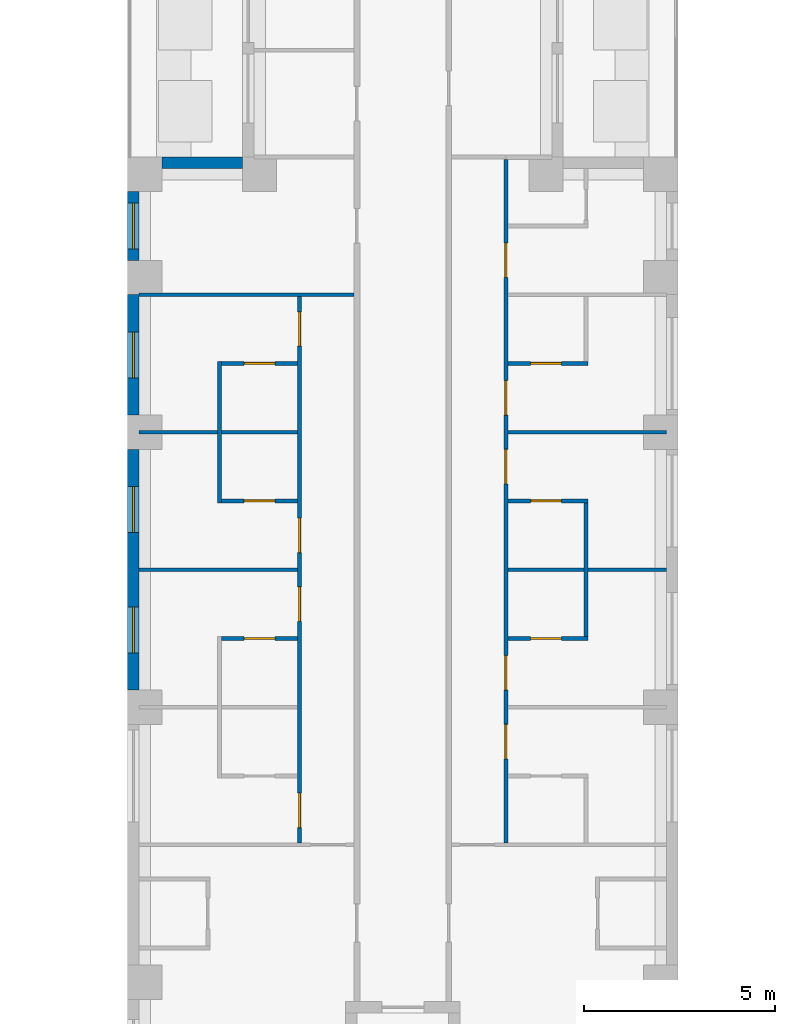
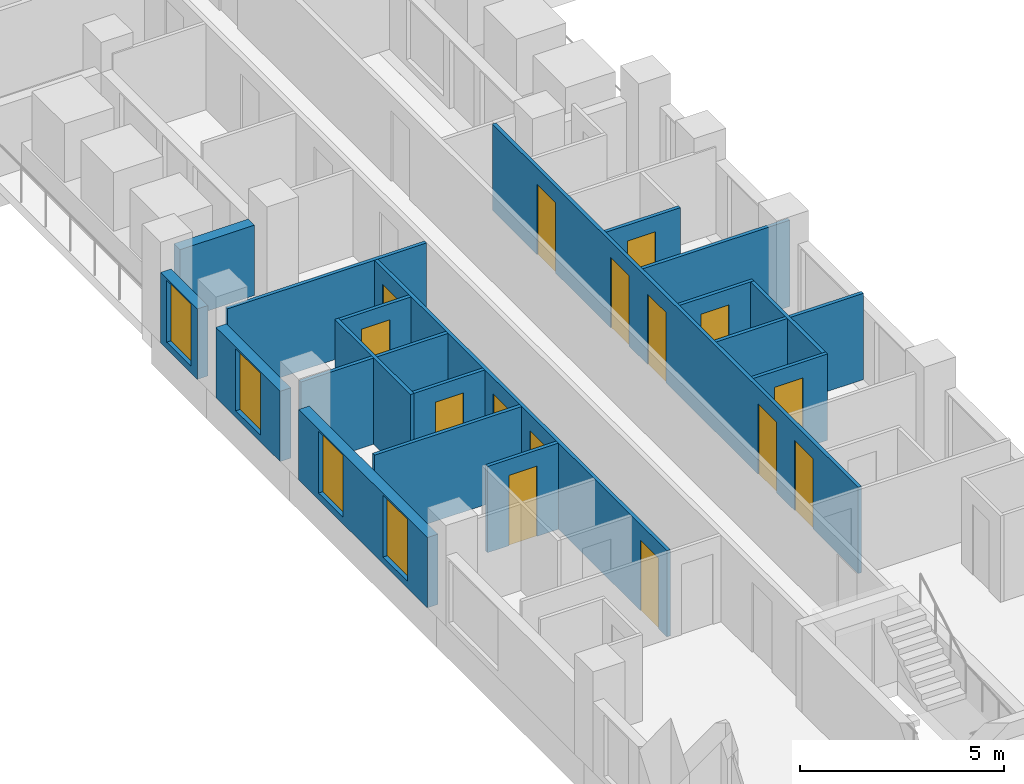
# One storey, part 4 of 16: 19 walls, 15 doors, 4 windows, 19 openings.
"""IFC4 building model written with IfcOpenShell, lengths in metres."""

from ifc_helpers import new_model, si_unit, direction, frame, frame_2d, origin, place, context, subcontext, project, spatial, rectangle, extrude, material, layer, layer_set, type_object, element, fill, save


model = new_model("IFC4")

# Units and contexts
model_context = context("Model", 3, precision=1e-05, world=origin(), true_north=direction((0.0, 1.0)))
body_context = subcontext(model_context, "Body", "Model", "MODEL_VIEW")
ifc_project = project(units=[si_unit("LENGTHUNIT", "METRE"), si_unit("AREAUNIT", "SQUARE_METRE"), si_unit("VOLUMEUNIT", "CUBIC_METRE"), si_unit("PLANEANGLEUNIT", "RADIAN"), si_unit("MASSUNIT", "GRAM", prefix="KILO")], contexts=[model_context])

# Site, building, storey
site_placement = place(None, origin())
site = spatial("IfcSite", under=ifc_project, at=site_placement, CompositionType="ELEMENT")
building_placement = place(site_placement, origin())
building = spatial("IfcBuilding", under=site, at=building_placement, Name="Fustian Cross Tower", CompositionType="ELEMENT")
storey_placement = place(building_placement, frame((0.0, 0.0, 26.699951171875)))
storey = spatial("IfcBuildingStorey", under=building, at=storey_placement, Name="L07", CompositionType="ELEMENT", Elevation=26.699951171875)

# Walls
ifc_material_1 = material(Name="Plasterboard on steel stud", Category="steel")
ifc_layer_1 = layer(ifc_material_1, 0.10009765625)
ifc_layer_set_1 = layer_set([ifc_layer_1], Name="Plasterboard on steel stud")
wall_type_1 = type_object("IfcWallType", Name="PARTITION 100 STUD", PredefinedType="PARTITIONING", material=ifc_layer_set_1)
for number, where, z_axis, x_axis, name in (
    (1, (-6.89990234375, -25.199951171875, 0.0), (0.0, 0.0, 1.0), (1.0, 0.0, 0.0), "Partition 21"),
    (2, (-6.89990234375, -21.60009765625, 0.0), (0.0, 0.0, 1.0), (1.0, 0.0, 0.0), "Partition 22"),
):
    element("IfcWall", number, at=place(storey_placement, frame(where, z_axis=z_axis, x_axis=x_axis)), inside=storey, type_object=wall_type_1, Name=name, PredefinedType="PARTITIONING", context=body_context, shape_type="SweptSolid", body=[
        extrude(rectangle(XDim=4.14990234375, YDim=0.10009765625, at=frame_2d((2.074951171875, 0.0))), origin(), (0.0, 0.0, 1.0), 2.574951171875),
    ])
wall_1_placement = place(storey_placement, frame((-6.89990234375, -18.0, 0.0), z_axis=(0.0, 0.0, 1.0), x_axis=(1.0, 0.0, 0.0)))
element("IfcWall", 3, at=wall_1_placement, inside=storey, type_object=wall_type_1, Name="Partition 23", PredefinedType="PARTITIONING", context=body_context, shape_type="SweptSolid", body=[
    extrude(rectangle(XDim=5.625, YDim=0.10009765625, at=frame_2d((2.8125, 0.0))), origin(), (0.0, 0.0, 1.0), 2.574951171875),
])

# Wall, opening, door
wall_2_placement = place(storey_placement, frame((-4.75, -27.0, 0.0), z_axis=(0.0, 0.0, 1.0), x_axis=(1.0, 0.0, 0.0)))
wall_2 = element("IfcWall", 4, at=wall_2_placement, inside=storey, type_object=wall_type_1, Name="Partition 35", PredefinedType="PARTITIONING", context=body_context, shape_type="SweptSolid", body=[
    extrude(rectangle(XDim=2.0, YDim=0.10009765625, at=frame_2d((1.0, 0.0))), origin(), (0.0, 0.0, 1.0), 2.574951171875),
])
opening_1_placement = place(wall_2_placement, frame((0.60009765625, 0.0, 0.0)))
opening_1 = element("IfcOpeningElement", 5, at=opening_1_placement, cuts=wall_2, Name="Opening D05076", PredefinedType="OPENING", context=body_context, shape_type="SweptSolid", body=[
    extrude(rectangle(XDim=0.800048828125, YDim=2.10009765625, at=frame_2d((0.39990234375, 1.050048828125))), frame((0.0, 0.06005859375, 0.0), z_axis=(0.0, -1.0, 0.0), x_axis=(1.0, 0.0, 0.0)), (0.0, 0.0, 1.0), 0.1201171875),
])
ifc_material_2 = material(Name="Painted timber", Category="wood")
door_type_1 = type_object("IfcDoorType", Name="SWING DOOR 800", OperationType="SINGLE_SWING_LEFT", PredefinedType="DOOR", material=ifc_material_2)
door_1_placement = place(opening_1_placement, frame((0.800048828125, 0.0, 0.0), z_axis=(0.0, 0.0, 1.0), x_axis=(-1.0, 0.0, 0.0)))
door_1 = element("IfcDoor", 6, at=door_1_placement, inside=storey, type_object=door_type_1, Name="Door D05076", OperationType="SINGLE_SWING_RIGHT", OverallHeight=2.10009765625, OverallWidth=0.800048828125, PredefinedType="DOOR", context=body_context, shape_type="SweptSolid", body=[
    extrude(rectangle(XDim=0.800048828125, YDim=2.10009765625, at=frame_2d((0.39990234375, 1.050048828125))), frame((0.0, 0.02490234375, 0.0), z_axis=(0.0, -1.0, 0.0), x_axis=(1.0, 0.0, 0.0)), (0.0, 0.0, 1.0), 0.050048828125),
])
fill(opening_1, door_1)

# Wall
wall_3_placement = place(storey_placement, frame((-4.800048828125, -23.449951171875, 0.0), z_axis=(0.0, 0.0, 1.0), x_axis=(0.0, 1.0, 0.0)))
element("IfcWall", 7, at=wall_3_placement, inside=storey, type_object=wall_type_1, Name="Partition 36", PredefinedType="PARTITIONING", context=body_context, shape_type="SweptSolid", body=[
    extrude(rectangle(XDim=3.699951171875, YDim=0.10009765625, at=frame_2d((1.85009765625, 0.0))), origin(), (0.0, 0.0, 1.0), 2.574951171875),
])

# Wall, opening, door
wall_4_placement = place(storey_placement, frame((-4.75, -23.39990234375, 0.0), z_axis=(0.0, 0.0, 1.0), x_axis=(1.0, 0.0, 0.0)))
wall_4 = element("IfcWall", 8, at=wall_4_placement, inside=storey, type_object=wall_type_1, Name="Partition 37", PredefinedType="PARTITIONING", context=body_context, shape_type="SweptSolid", body=[
    extrude(rectangle(XDim=2.0, YDim=0.10009765625, at=frame_2d((1.0, 0.0))), origin(), (0.0, 0.0, 1.0), 2.574951171875),
])
opening_2_placement = place(wall_4_placement, frame((0.60009765625, 0.0, 0.0)))
opening_2 = element("IfcOpeningElement", 9, at=opening_2_placement, cuts=wall_4, Name="Opening D05075", PredefinedType="OPENING", context=body_context, shape_type="SweptSolid", body=[
    extrude(rectangle(XDim=0.800048828125, YDim=2.10009765625, at=frame_2d((0.39990234375, 1.050048828125))), frame((0.0, 0.06005859375, 0.0), z_axis=(0.0, -1.0, 0.0), x_axis=(1.0, 0.0, 0.0)), (0.0, 0.0, 1.0), 0.1201171875),
])
door_2_placement = place(opening_2_placement, origin())
door_2 = element("IfcDoor", 10, at=door_2_placement, inside=storey, type_object=door_type_1, Name="Door D05075", OperationType="SINGLE_SWING_LEFT", OverallHeight=2.10009765625, OverallWidth=0.800048828125, PredefinedType="DOOR", context=body_context, shape_type="SweptSolid", body=[
    extrude(rectangle(XDim=0.800048828125, YDim=2.10009765625, at=frame_2d((0.39990234375, 1.050048828125))), frame((0.0, 0.02490234375, 0.0), z_axis=(0.0, -1.0, 0.0), x_axis=(1.0, 0.0, 0.0)), (0.0, 0.0, 1.0), 0.050048828125),
])
fill(opening_2, door_2)

wall_5_placement = place(storey_placement, frame((-4.75, -19.800048828125, 0.0), z_axis=(0.0, 0.0, 1.0), x_axis=(1.0, 0.0, 0.0)))
wall_5 = element("IfcWall", 11, at=wall_5_placement, inside=storey, type_object=wall_type_1, Name="Partition 38", PredefinedType="PARTITIONING", context=body_context, shape_type="SweptSolid", body=[
    extrude(rectangle(XDim=2.0, YDim=0.10009765625, at=frame_2d((1.0, 0.0))), origin(), (0.0, 0.0, 1.0), 2.574951171875),
])
opening_3_placement = place(wall_5_placement, frame((0.60009765625, 0.0, 0.0)))
opening_3 = element("IfcOpeningElement", 12, at=opening_3_placement, cuts=wall_5, Name="Opening D05074", PredefinedType="OPENING", context=body_context, shape_type="SweptSolid", body=[
    extrude(rectangle(XDim=0.800048828125, YDim=2.10009765625, at=frame_2d((0.39990234375, 1.050048828125))), frame((0.0, 0.06005859375, 0.0), z_axis=(0.0, -1.0, 0.0), x_axis=(1.0, 0.0, 0.0)), (0.0, 0.0, 1.0), 0.1201171875),
])
door_3_placement = place(opening_3_placement, frame((0.800048828125, 0.0, 0.0), z_axis=(0.0, 0.0, 1.0), x_axis=(-1.0, 0.0, 0.0)))
door_3 = element("IfcDoor", 13, at=door_3_placement, inside=storey, type_object=door_type_1, Name="Door D05074", OperationType="SINGLE_SWING_RIGHT", OverallHeight=2.10009765625, OverallWidth=0.800048828125, PredefinedType="DOOR", context=body_context, shape_type="SweptSolid", body=[
    extrude(rectangle(XDim=0.800048828125, YDim=2.10009765625, at=frame_2d((0.39990234375, 1.050048828125))), frame((0.0, 0.02490234375, 0.0), z_axis=(0.0, -1.0, 0.0), x_axis=(1.0, 0.0, 0.0)), (0.0, 0.0, 1.0), 0.050048828125),
])
fill(opening_3, door_3)

# Wall, openings, doors
wall_6_placement = place(storey_placement, frame((-2.699951171875, -32.35009765625, 0.0), z_axis=(0.0, 0.0, 1.0), x_axis=(0.0, 1.0, 0.0)))
wall_6 = element("IfcWall", 14, at=wall_6_placement, inside=storey, type_object=wall_type_1, Name="Partition 49", PredefinedType="PARTITIONING", context=body_context, shape_type="SweptSolid", body=[
    extrude(rectangle(XDim=14.300048828125, YDim=0.10009765625, at=frame_2d((7.14990234375, 0.0))), origin(), (0.0, 0.0, 1.0), 2.574951171875),
])
opening_4_placement = place(wall_6_placement, frame((0.400146484375, 0.0, 0.0)))
opening_4 = element("IfcOpeningElement", 15, at=opening_4_placement, cuts=wall_6, Name="Opening D05069", PredefinedType="OPENING", context=body_context, shape_type="SweptSolid", body=[
    extrude(rectangle(XDim=0.89990234375, YDim=2.10009765625, at=frame_2d((0.449951171875, 1.050048828125))), frame((0.0, 0.06005859375, 0.0), z_axis=(0.0, -1.0, 0.0), x_axis=(1.0, 0.0, 0.0)), (0.0, 0.0, 1.0), 0.1201171875),
])
opening_5_placement = place(wall_6_placement, frame((5.800048828125, 0.0, 0.0)))
opening_5 = element("IfcOpeningElement", 16, at=opening_5_placement, cuts=wall_6, Name="Opening D05070", PredefinedType="OPENING", context=body_context, shape_type="SweptSolid", body=[
    extrude(rectangle(XDim=0.89990234375, YDim=2.10009765625, at=frame_2d((0.449951171875, 1.050048828125))), frame((0.0, 0.06005859375, 0.0), z_axis=(0.0, -1.0, 0.0), x_axis=(1.0, 0.0, 0.0)), (0.0, 0.0, 1.0), 0.1201171875),
])
opening_6_placement = place(wall_6_placement, frame((7.60009765625, 0.0, 0.0)))
opening_6 = element("IfcOpeningElement", 17, at=opening_6_placement, cuts=wall_6, Name="Opening D05071", PredefinedType="OPENING", context=body_context, shape_type="SweptSolid", body=[
    extrude(rectangle(XDim=0.89990234375, YDim=2.10009765625, at=frame_2d((0.449951171875, 1.050048828125))), frame((0.0, 0.06005859375, 0.0), z_axis=(0.0, -1.0, 0.0), x_axis=(1.0, 0.0, 0.0)), (0.0, 0.0, 1.0), 0.1201171875),
])
opening_7_placement = place(wall_6_placement, frame((13.0, 0.0, 0.0)))
opening_7 = element("IfcOpeningElement", 18, at=opening_7_placement, cuts=wall_6, Name="Opening D05072", PredefinedType="OPENING", context=body_context, shape_type="SweptSolid", body=[
    extrude(rectangle(XDim=0.89990234375, YDim=2.10009765625, at=frame_2d((0.449951171875, 1.050048828125))), frame((0.0, 0.06005859375, 0.0), z_axis=(0.0, -1.0, 0.0), x_axis=(1.0, 0.0, 0.0)), (0.0, 0.0, 1.0), 0.1201171875),
])
ifc_material_3 = material(Name="Painted timber", Category="wood")
door_type_2 = type_object("IfcDoorType", Name="SWING DOOR 900", OperationType="SINGLE_SWING_LEFT", PredefinedType="DOOR", material=ifc_material_3)
door_4_placement = place(opening_4_placement, origin())
door_4 = element("IfcDoor", 19, at=door_4_placement, inside=storey, type_object=door_type_2, Name="Door D05069", OperationType="SINGLE_SWING_LEFT", OverallHeight=2.10009765625, OverallWidth=0.89990234375, PredefinedType="DOOR", context=body_context, shape_type="SweptSolid", body=[
    extrude(rectangle(XDim=0.89990234375, YDim=2.10009765625, at=frame_2d((0.449951171875, 1.050048828125))), frame((0.0, 0.02490234375, 0.0), z_axis=(0.0, -1.0, 0.0), x_axis=(1.0, 0.0, 0.0)), (0.0, 0.0, 1.0), 0.050048828125),
])
fill(opening_4, door_4)
door_5_placement = place(opening_5_placement, origin())
door_5 = element("IfcDoor", 20, at=door_5_placement, inside=storey, type_object=door_type_2, Name="Door D05070", OperationType="SINGLE_SWING_LEFT", OverallHeight=2.10009765625, OverallWidth=0.89990234375, PredefinedType="DOOR", context=body_context, shape_type="SweptSolid", body=[
    extrude(rectangle(XDim=0.89990234375, YDim=2.10009765625, at=frame_2d((0.449951171875, 1.050048828125))), frame((0.0, 0.02490234375, 0.0), z_axis=(0.0, -1.0, 0.0), x_axis=(1.0, 0.0, 0.0)), (0.0, 0.0, 1.0), 0.050048828125),
])
fill(opening_5, door_5)
door_6_placement = place(opening_6_placement, origin())
door_6 = element("IfcDoor", 21, at=door_6_placement, inside=storey, type_object=door_type_2, Name="Door D05071", OperationType="SINGLE_SWING_LEFT", OverallHeight=2.10009765625, OverallWidth=0.89990234375, PredefinedType="DOOR", context=body_context, shape_type="SweptSolid", body=[
    extrude(rectangle(XDim=0.89990234375, YDim=2.10009765625, at=frame_2d((0.449951171875, 1.050048828125))), frame((0.0, 0.02490234375, 0.0), z_axis=(0.0, -1.0, 0.0), x_axis=(1.0, 0.0, 0.0)), (0.0, 0.0, 1.0), 0.050048828125),
])
fill(opening_6, door_6)
door_7_placement = place(opening_7_placement, origin())
door_7 = element("IfcDoor", 22, at=door_7_placement, inside=storey, type_object=door_type_2, Name="Door D05072", OperationType="SINGLE_SWING_LEFT", OverallHeight=2.10009765625, OverallWidth=0.89990234375, PredefinedType="DOOR", context=body_context, shape_type="SweptSolid", body=[
    extrude(rectangle(XDim=0.89990234375, YDim=2.10009765625, at=frame_2d((0.449951171875, 1.050048828125))), frame((0.0, 0.02490234375, 0.0), z_axis=(0.0, -1.0, 0.0), x_axis=(1.0, 0.0, 0.0)), (0.0, 0.0, 1.0), 0.050048828125),
])
fill(opening_7, door_7)

wall_7_placement = place(storey_placement, frame((2.699951171875, -32.35009765625, 0.0), z_axis=(0.0, 0.0, 1.0), x_axis=(0.0, 1.0, 0.0)))
wall_7 = element("IfcWall", 23, at=wall_7_placement, inside=storey, type_object=wall_type_1, Name="Partition 64", PredefinedType="PARTITIONING", context=body_context, shape_type="SweptSolid", body=[
    extrude(rectangle(XDim=17.8876953125, YDim=0.10009765625, at=frame_2d((8.94384765625, 0.0))), origin(), (0.0, 0.0, 1.0), 2.574951171875),
])
opening_8_placement = place(wall_7_placement, frame((2.199951171875, 0.0, 0.0)))
opening_8 = element("IfcOpeningElement", 24, at=opening_8_placement, cuts=wall_7, Name="Opening D05054", PredefinedType="OPENING", context=body_context, shape_type="SweptSolid", body=[
    extrude(rectangle(XDim=0.89990234375, YDim=2.10009765625, at=frame_2d((0.449951171875, 1.050048828125))), frame((0.0, 0.06005859375, 0.0), z_axis=(0.0, -1.0, 0.0), x_axis=(1.0, 0.0, 0.0)), (0.0, 0.0, 1.0), 0.1201171875),
])
opening_9_placement = place(wall_7_placement, frame((4.0, 0.0, 0.0)))
opening_9 = element("IfcOpeningElement", 25, at=opening_9_placement, cuts=wall_7, Name="Opening D05055", PredefinedType="OPENING", context=body_context, shape_type="SweptSolid", body=[
    extrude(rectangle(XDim=0.89990234375, YDim=2.10009765625, at=frame_2d((0.449951171875, 1.050048828125))), frame((0.0, 0.06005859375, 0.0), z_axis=(0.0, -1.0, 0.0), x_axis=(1.0, 0.0, 0.0)), (0.0, 0.0, 1.0), 0.1201171875),
])
opening_10_placement = place(wall_7_placement, frame((9.39990234375, 0.0, 0.0)))
opening_10 = element("IfcOpeningElement", 26, at=opening_10_placement, cuts=wall_7, Name="Opening D05056", PredefinedType="OPENING", context=body_context, shape_type="SweptSolid", body=[
    extrude(rectangle(XDim=0.89990234375, YDim=2.10009765625, at=frame_2d((0.449951171875, 1.050048828125))), frame((0.0, 0.06005859375, 0.0), z_axis=(0.0, -1.0, 0.0), x_axis=(1.0, 0.0, 0.0)), (0.0, 0.0, 1.0), 0.1201171875),
])
opening_11_placement = place(wall_7_placement, frame((11.199951171875, 0.0, 0.0)))
opening_11 = element("IfcOpeningElement", 27, at=opening_11_placement, cuts=wall_7, Name="Opening D05057", PredefinedType="OPENING", context=body_context, shape_type="SweptSolid", body=[
    extrude(rectangle(XDim=0.89990234375, YDim=2.10009765625, at=frame_2d((0.449951171875, 1.050048828125))), frame((0.0, 0.06005859375, 0.0), z_axis=(0.0, -1.0, 0.0), x_axis=(1.0, 0.0, 0.0)), (0.0, 0.0, 1.0), 0.1201171875),
])
opening_12_placement = place(wall_7_placement, frame((14.800048828125, 0.0, 0.0)))
opening_12 = element("IfcOpeningElement", 28, at=opening_12_placement, cuts=wall_7, Name="Opening D05058", PredefinedType="OPENING", context=body_context, shape_type="SweptSolid", body=[
    extrude(rectangle(XDim=0.89990234375, YDim=2.10009765625, at=frame_2d((0.449951171875, 1.050048828125))), frame((0.0, 0.06005859375, 0.0), z_axis=(0.0, -1.0, 0.0), x_axis=(1.0, 0.0, 0.0)), (0.0, 0.0, 1.0), 0.1201171875),
])
door_8_placement = place(opening_8_placement, frame((0.89990234375, 0.0, 0.0), z_axis=(0.0, 0.0, 1.0), x_axis=(-1.0, 0.0, 0.0)))
door_8 = element("IfcDoor", 29, at=door_8_placement, inside=storey, type_object=door_type_2, Name="Door D05054", OperationType="SINGLE_SWING_RIGHT", OverallHeight=2.10009765625, OverallWidth=0.89990234375, PredefinedType="DOOR", context=body_context, shape_type="SweptSolid", body=[
    extrude(rectangle(XDim=0.89990234375, YDim=2.10009765625, at=frame_2d((0.449951171875, 1.050048828125))), frame((0.0, 0.02490234375, 0.0), z_axis=(0.0, -1.0, 0.0), x_axis=(1.0, 0.0, 0.0)), (0.0, 0.0, 1.0), 0.050048828125),
])
fill(opening_8, door_8)
door_9_placement = place(opening_9_placement, frame((0.89990234375, 0.0, 0.0), z_axis=(0.0, 0.0, 1.0), x_axis=(-1.0, 0.0, 0.0)))
door_9 = element("IfcDoor", 30, at=door_9_placement, inside=storey, type_object=door_type_2, Name="Door D05055", OperationType="SINGLE_SWING_RIGHT", OverallHeight=2.10009765625, OverallWidth=0.89990234375, PredefinedType="DOOR", context=body_context, shape_type="SweptSolid", body=[
    extrude(rectangle(XDim=0.89990234375, YDim=2.10009765625, at=frame_2d((0.449951171875, 1.050048828125))), frame((0.0, 0.02490234375, 0.0), z_axis=(0.0, -1.0, 0.0), x_axis=(1.0, 0.0, 0.0)), (0.0, 0.0, 1.0), 0.050048828125),
])
fill(opening_9, door_9)
door_10_placement = place(opening_10_placement, frame((0.89990234375, 0.0, 0.0), z_axis=(0.0, 0.0, 1.0), x_axis=(-1.0, 0.0, 0.0)))
door_10 = element("IfcDoor", 31, at=door_10_placement, inside=storey, type_object=door_type_2, Name="Door D05056", OperationType="SINGLE_SWING_RIGHT", OverallHeight=2.10009765625, OverallWidth=0.89990234375, PredefinedType="DOOR", context=body_context, shape_type="SweptSolid", body=[
    extrude(rectangle(XDim=0.89990234375, YDim=2.10009765625, at=frame_2d((0.449951171875, 1.050048828125))), frame((0.0, 0.02490234375, 0.0), z_axis=(0.0, -1.0, 0.0), x_axis=(1.0, 0.0, 0.0)), (0.0, 0.0, 1.0), 0.050048828125),
])
fill(opening_10, door_10)
door_11_placement = place(opening_11_placement, frame((0.89990234375, 0.0, 0.0), z_axis=(0.0, 0.0, 1.0), x_axis=(-1.0, 0.0, 0.0)))
door_11 = element("IfcDoor", 32, at=door_11_placement, inside=storey, type_object=door_type_2, Name="Door D05057", OperationType="SINGLE_SWING_RIGHT", OverallHeight=2.10009765625, OverallWidth=0.89990234375, PredefinedType="DOOR", context=body_context, shape_type="SweptSolid", body=[
    extrude(rectangle(XDim=0.89990234375, YDim=2.10009765625, at=frame_2d((0.449951171875, 1.050048828125))), frame((0.0, 0.02490234375, 0.0), z_axis=(0.0, -1.0, 0.0), x_axis=(1.0, 0.0, 0.0)), (0.0, 0.0, 1.0), 0.050048828125),
])
fill(opening_11, door_11)
door_12_placement = place(opening_12_placement, frame((0.89990234375, 0.0, 0.0), z_axis=(0.0, 0.0, 1.0), x_axis=(-1.0, 0.0, 0.0)))
door_12 = element("IfcDoor", 33, at=door_12_placement, inside=storey, type_object=door_type_2, Name="Door D05058", OperationType="SINGLE_SWING_RIGHT", OverallHeight=2.10009765625, OverallWidth=0.89990234375, PredefinedType="DOOR", context=body_context, shape_type="SweptSolid", body=[
    extrude(rectangle(XDim=0.89990234375, YDim=2.10009765625, at=frame_2d((0.449951171875, 1.050048828125))), frame((0.0, 0.02490234375, 0.0), z_axis=(0.0, -1.0, 0.0), x_axis=(1.0, 0.0, 0.0)), (0.0, 0.0, 1.0), 0.050048828125),
])
fill(opening_12, door_12)

# Wall, opening, door
wall_8_placement = place(storey_placement, frame((2.75, -27.0, 0.0), z_axis=(0.0, 0.0, 1.0), x_axis=(1.0, 0.0, 0.0)))
wall_8 = element("IfcWall", 34, at=wall_8_placement, inside=storey, type_object=wall_type_1, Name="Partition 67", PredefinedType="PARTITIONING", context=body_context, shape_type="SweptSolid", body=[
    extrude(rectangle(XDim=2.10009765625, YDim=0.10009765625, at=frame_2d((1.050048828125, 0.0))), origin(), (0.0, 0.0, 1.0), 2.574951171875),
])
opening_13_placement = place(wall_8_placement, frame((0.60009765625, 0.0, 0.0)))
opening_13 = element("IfcOpeningElement", 35, at=opening_13_placement, cuts=wall_8, Name="Opening D05062", PredefinedType="OPENING", context=body_context, shape_type="SweptSolid", body=[
    extrude(rectangle(XDim=0.800048828125, YDim=2.10009765625, at=frame_2d((0.39990234375, 1.050048828125))), frame((0.0, 0.06005859375, 0.0), z_axis=(0.0, -1.0, 0.0), x_axis=(1.0, 0.0, 0.0)), (0.0, 0.0, 1.0), 0.1201171875),
])
door_13_placement = place(opening_13_placement, origin())
door_13 = element("IfcDoor", 36, at=door_13_placement, inside=storey, type_object=door_type_1, Name="Door D05062", OperationType="SINGLE_SWING_LEFT", OverallHeight=2.10009765625, OverallWidth=0.800048828125, PredefinedType="DOOR", context=body_context, shape_type="SweptSolid", body=[
    extrude(rectangle(XDim=0.800048828125, YDim=2.10009765625, at=frame_2d((0.39990234375, 1.050048828125))), frame((0.0, 0.02490234375, 0.0), z_axis=(0.0, -1.0, 0.0), x_axis=(1.0, 0.0, 0.0)), (0.0, 0.0, 1.0), 0.050048828125),
])
fill(opening_13, door_13)

# Wall
wall_9_placement = place(storey_placement, frame((2.75, -25.199951171875, 0.0), z_axis=(0.0, 0.0, 1.0), x_axis=(1.0, 0.0, 0.0)))
element("IfcWall", 37, at=wall_9_placement, inside=storey, type_object=wall_type_1, Name="Partition 68", PredefinedType="PARTITIONING", context=body_context, shape_type="SweptSolid", body=[
    extrude(rectangle(XDim=4.14990234375, YDim=0.10009765625, at=frame_2d((2.074951171875, 0.0))), origin(), (0.0, 0.0, 1.0), 2.574951171875),
])

# Wall, opening, door
wall_10_placement = place(storey_placement, frame((2.75, -23.39990234375, 0.0), z_axis=(0.0, 0.0, 1.0), x_axis=(1.0, 0.0, 0.0)))
wall_10 = element("IfcWall", 38, at=wall_10_placement, inside=storey, type_object=wall_type_1, Name="Partition 69", PredefinedType="PARTITIONING", context=body_context, shape_type="SweptSolid", body=[
    extrude(rectangle(XDim=2.10009765625, YDim=0.10009765625, at=frame_2d((1.050048828125, 0.0))), origin(), (0.0, 0.0, 1.0), 2.574951171875),
])
opening_14_placement = place(wall_10_placement, frame((0.60009765625, 0.0, 0.0)))
opening_14 = element("IfcOpeningElement", 39, at=opening_14_placement, cuts=wall_10, Name="Opening D05061", PredefinedType="OPENING", context=body_context, shape_type="SweptSolid", body=[
    extrude(rectangle(XDim=0.800048828125, YDim=2.10009765625, at=frame_2d((0.39990234375, 1.050048828125))), frame((0.0, 0.06005859375, 0.0), z_axis=(0.0, -1.0, 0.0), x_axis=(1.0, 0.0, 0.0)), (0.0, 0.0, 1.0), 0.1201171875),
])
door_14_placement = place(opening_14_placement, frame((0.800048828125, 0.0, 0.0), z_axis=(0.0, 0.0, 1.0), x_axis=(-1.0, 0.0, 0.0)))
door_14 = element("IfcDoor", 40, at=door_14_placement, inside=storey, type_object=door_type_1, Name="Door D05061", OperationType="SINGLE_SWING_RIGHT", OverallHeight=2.10009765625, OverallWidth=0.800048828125, PredefinedType="DOOR", context=body_context, shape_type="SweptSolid", body=[
    extrude(rectangle(XDim=0.800048828125, YDim=2.10009765625, at=frame_2d((0.39990234375, 1.050048828125))), frame((0.0, 0.02490234375, 0.0), z_axis=(0.0, -1.0, 0.0), x_axis=(1.0, 0.0, 0.0)), (0.0, 0.0, 1.0), 0.050048828125),
])
fill(opening_14, door_14)

# Wall
wall_11_placement = place(storey_placement, frame((2.75, -21.60009765625, 0.0), z_axis=(0.0, 0.0, 1.0), x_axis=(1.0, 0.0, 0.0)))
element("IfcWall", 41, at=wall_11_placement, inside=storey, type_object=wall_type_1, Name="Partition 70", PredefinedType="PARTITIONING", context=body_context, shape_type="SweptSolid", body=[
    extrude(rectangle(XDim=4.14990234375, YDim=0.10009765625, at=frame_2d((2.074951171875, 0.0))), origin(), (0.0, 0.0, 1.0), 2.574951171875),
])

# Wall, opening, door
wall_12_placement = place(storey_placement, frame((2.75, -19.800048828125, 0.0), z_axis=(0.0, 0.0, 1.0), x_axis=(1.0, 0.0, 0.0)))
wall_12 = element("IfcWall", 42, at=wall_12_placement, inside=storey, type_object=wall_type_1, Name="Partition 71", PredefinedType="PARTITIONING", context=body_context, shape_type="SweptSolid", body=[
    extrude(rectangle(XDim=2.10009765625, YDim=0.10009765625, at=frame_2d((1.050048828125, 0.0))), origin(), (0.0, 0.0, 1.0), 2.574951171875),
])
opening_15_placement = place(wall_12_placement, frame((0.60009765625, 0.0, 0.0)))
opening_15 = element("IfcOpeningElement", 43, at=opening_15_placement, cuts=wall_12, Name="Opening D05060", PredefinedType="OPENING", context=body_context, shape_type="SweptSolid", body=[
    extrude(rectangle(XDim=0.800048828125, YDim=2.10009765625, at=frame_2d((0.39990234375, 1.050048828125))), frame((0.0, 0.06005859375, 0.0), z_axis=(0.0, -1.0, 0.0), x_axis=(1.0, 0.0, 0.0)), (0.0, 0.0, 1.0), 0.1201171875),
])
door_15_placement = place(opening_15_placement, origin())
door_15 = element("IfcDoor", 44, at=door_15_placement, inside=storey, type_object=door_type_1, Name="Door D05060", OperationType="SINGLE_SWING_LEFT", OverallHeight=2.10009765625, OverallWidth=0.800048828125, PredefinedType="DOOR", context=body_context, shape_type="SweptSolid", body=[
    extrude(rectangle(XDim=0.800048828125, YDim=2.10009765625, at=frame_2d((0.39990234375, 1.050048828125))), frame((0.0, 0.02490234375, 0.0), z_axis=(0.0, -1.0, 0.0), x_axis=(1.0, 0.0, 0.0)), (0.0, 0.0, 1.0), 0.050048828125),
])
fill(opening_15, door_15)

# Walls
wall_13_placement = place(storey_placement, frame((4.800048828125, -26.949951171875, 0.0), z_axis=(0.0, 0.0, 1.0), x_axis=(0.0, 1.0, 0.0)))
element("IfcWall", 45, at=wall_13_placement, inside=storey, type_object=wall_type_1, Name="Partition 81", PredefinedType="PARTITIONING", context=body_context, shape_type="SweptSolid", body=[
    extrude(rectangle(XDim=3.5, YDim=0.10009765625, at=frame_2d((1.75, 0.0))), origin(), (0.0, 0.0, 1.0), 2.574951171875),
])
ifc_material_4 = material(Name="Dark aluminium cladding on insulated backing wall", Category="aluminium")
ifc_layer_2 = layer(ifc_material_4, 0.300048828125)
ifc_layer_set_2 = layer_set([ifc_layer_2], Name="Dark aluminium cladding on insulated backing wall")
wall_type_2 = type_object("IfcWallType", Name="XW1 EXTERNAL WALL 300", PredefinedType="SOLIDWALL", material=ifc_layer_set_2)
wall_14_placement = place(storey_placement, frame((-4.199951171875, -14.550048828125, 0.0), z_axis=(0.0, 0.0, 1.0), x_axis=(-1.0, 0.0, 0.0)))
element("IfcWall", 46, at=wall_14_placement, inside=storey, type_object=wall_type_2, Name="External wall", PredefinedType="SOLIDWALL", context=body_context, shape_type="SweptSolid", body=[
    extrude(rectangle(XDim=2.10009765625, YDim=0.300048828125, at=frame_2d((1.050048828125, 0.0))), origin(), (0.0, 0.0, 1.0), 2.10009765625),
])

# Wall, opening, window
wall_15_placement = place(storey_placement, frame((-7.050048828125, -15.300048828125, 0.0), z_axis=(0.0, 0.0, 1.0), x_axis=(0.0, -1.0, 0.0)))
wall_15 = element("IfcWall", 47, at=wall_15_placement, inside=storey, type_object=wall_type_2, Name="External wall", PredefinedType="SOLIDWALL", context=body_context, shape_type="SweptSolid", body=[
    extrude(rectangle(XDim=1.800048828125, YDim=0.300048828125, at=frame_2d((0.89990234375, 0.0))), origin(), (0.0, 0.0, 1.0), 2.10009765625),
])
opening_16_placement = place(wall_15_placement, frame((0.300048828125, 0.0, 0.199951171875)))
opening_16 = element("IfcOpeningElement", 48, at=opening_16_placement, cuts=wall_15, Name="Opening WN3", PredefinedType="OPENING", context=body_context, shape_type="SweptSolid", body=[
    extrude(rectangle(XDim=1.199951171875, YDim=1.85009765625, at=frame_2d((0.60009765625, 0.925048828125))), frame((0.0, 0.159912109375, 0.0), z_axis=(0.0, -1.0, 0.0), x_axis=(1.0, 0.0, 0.0)), (0.0, 0.0, 1.0), 0.320068359375),
])
ifc_material_5 = material(Name="Dark anodised aluminium and double glazing", Category="aluminium")
window_type = type_object("IfcWindowType", Name="WN3 WINDOW 1200X1850", PartitioningType="SINGLE_PANEL", PredefinedType="WINDOW", material=ifc_material_5)
window_1_placement = place(opening_16_placement, origin())
window_1 = element("IfcWindow", 49, at=window_1_placement, inside=storey, type_object=window_type, Name="Window", OverallHeight=1.85009765625, OverallWidth=1.199951171875, PartitioningType="SINGLE_PANEL", PredefinedType="WINDOW", context=body_context, shape_type="SweptSolid", body=[
    extrude(rectangle(XDim=1.199951171875, YDim=1.85009765625, at=frame_2d((0.60009765625, 0.925048828125))), frame((0.0, 0.030029296875, 0.0), z_axis=(0.0, -1.0, 0.0), x_axis=(1.0, 0.0, 0.0)), (0.0, 0.0, 1.0), 0.06005859375),
])
fill(opening_16, window_1)

wall_16_placement = place(storey_placement, frame((-7.050048828125, -18.0, 0.0), z_axis=(0.0, 0.0, 1.0), x_axis=(0.0, -1.0, 0.0)))
wall_16 = element("IfcWall", 50, at=wall_16_placement, inside=storey, type_object=wall_type_2, Name="External wall", PredefinedType="SOLIDWALL", context=body_context, shape_type="SweptSolid", body=[
    extrude(rectangle(XDim=3.14990234375, YDim=0.300048828125, at=frame_2d((1.574951171875, 0.0))), origin(), (0.0, 0.0, 1.0), 2.10009765625),
])
opening_17_placement = place(wall_16_placement, frame((0.97509765625, 0.0, 0.199951171875)))
opening_17 = element("IfcOpeningElement", 51, at=opening_17_placement, cuts=wall_16, Name="Opening WN3", PredefinedType="OPENING", context=body_context, shape_type="SweptSolid", body=[
    extrude(rectangle(XDim=1.199951171875, YDim=1.85009765625, at=frame_2d((0.60009765625, 0.925048828125))), frame((0.0, 0.159912109375, 0.0), z_axis=(0.0, -1.0, 0.0), x_axis=(1.0, 0.0, 0.0)), (0.0, 0.0, 1.0), 0.320068359375),
])
window_2_placement = place(opening_17_placement, origin())
window_2 = element("IfcWindow", 52, at=window_2_placement, inside=storey, type_object=window_type, Name="Window", OverallHeight=1.85009765625, OverallWidth=1.199951171875, PartitioningType="SINGLE_PANEL", PredefinedType="WINDOW", context=body_context, shape_type="SweptSolid", body=[
    extrude(rectangle(XDim=1.199951171875, YDim=1.85009765625, at=frame_2d((0.60009765625, 0.925048828125))), frame((0.0, 0.030029296875, 0.0), z_axis=(0.0, -1.0, 0.0), x_axis=(1.0, 0.0, 0.0)), (0.0, 0.0, 1.0), 0.06005859375),
])
fill(opening_17, window_2)

# Wall, openings, windows
wall_17_placement = place(storey_placement, frame((-7.050048828125, -22.050048828125, 0.0), z_axis=(0.0, 0.0, 1.0), x_axis=(0.0, -1.0, 0.0)))
wall_17 = element("IfcWall", 53, at=wall_17_placement, inside=storey, type_object=wall_type_2, Name="External wall", PredefinedType="SOLIDWALL", context=body_context, shape_type="SweptSolid", body=[
    extrude(rectangle(XDim=6.300048828125, YDim=0.300048828125, at=frame_2d((3.14990234375, 0.0))), origin(), (0.0, 0.0, 1.0), 2.10009765625),
])
opening_18_placement = place(wall_17_placement, frame((0.97509765625, 0.0, 0.199951171875)))
opening_18 = element("IfcOpeningElement", 54, at=opening_18_placement, cuts=wall_17, Name="Opening WN3", PredefinedType="OPENING", context=body_context, shape_type="SweptSolid", body=[
    extrude(rectangle(XDim=1.199951171875, YDim=1.85009765625, at=frame_2d((0.60009765625, 0.925048828125))), frame((0.0, 0.159912109375, 0.0), z_axis=(0.0, -1.0, 0.0), x_axis=(1.0, 0.0, 0.0)), (0.0, 0.0, 1.0), 0.320068359375),
])
opening_19_placement = place(wall_17_placement, frame((4.125, 0.0, 0.199951171875)))
opening_19 = element("IfcOpeningElement", 55, at=opening_19_placement, cuts=wall_17, Name="Opening WN3", PredefinedType="OPENING", context=body_context, shape_type="SweptSolid", body=[
    extrude(rectangle(XDim=1.199951171875, YDim=1.85009765625, at=frame_2d((0.60009765625, 0.925048828125))), frame((0.0, 0.159912109375, 0.0), z_axis=(0.0, -1.0, 0.0), x_axis=(1.0, 0.0, 0.0)), (0.0, 0.0, 1.0), 0.320068359375),
])
window_3_placement = place(opening_18_placement, origin())
window_3 = element("IfcWindow", 56, at=window_3_placement, inside=storey, type_object=window_type, Name="Window", OverallHeight=1.85009765625, OverallWidth=1.199951171875, PartitioningType="SINGLE_PANEL", PredefinedType="WINDOW", context=body_context, shape_type="SweptSolid", body=[
    extrude(rectangle(XDim=1.199951171875, YDim=1.85009765625, at=frame_2d((0.60009765625, 0.925048828125))), frame((0.0, 0.030029296875, 0.0), z_axis=(0.0, -1.0, 0.0), x_axis=(1.0, 0.0, 0.0)), (0.0, 0.0, 1.0), 0.06005859375),
])
fill(opening_18, window_3)
window_4_placement = place(opening_19_placement, origin())
window_4 = element("IfcWindow", 57, at=window_4_placement, inside=storey, type_object=window_type, Name="Window", OverallHeight=1.85009765625, OverallWidth=1.199951171875, PartitioningType="SINGLE_PANEL", PredefinedType="WINDOW", context=body_context, shape_type="SweptSolid", body=[
    extrude(rectangle(XDim=1.199951171875, YDim=1.85009765625, at=frame_2d((0.60009765625, 0.925048828125))), frame((0.0, 0.030029296875, 0.0), z_axis=(0.0, -1.0, 0.0), x_axis=(1.0, 0.0, 0.0)), (0.0, 0.0, 1.0), 0.06005859375),
])
fill(opening_19, window_4)

save(model, "model.ifc")
